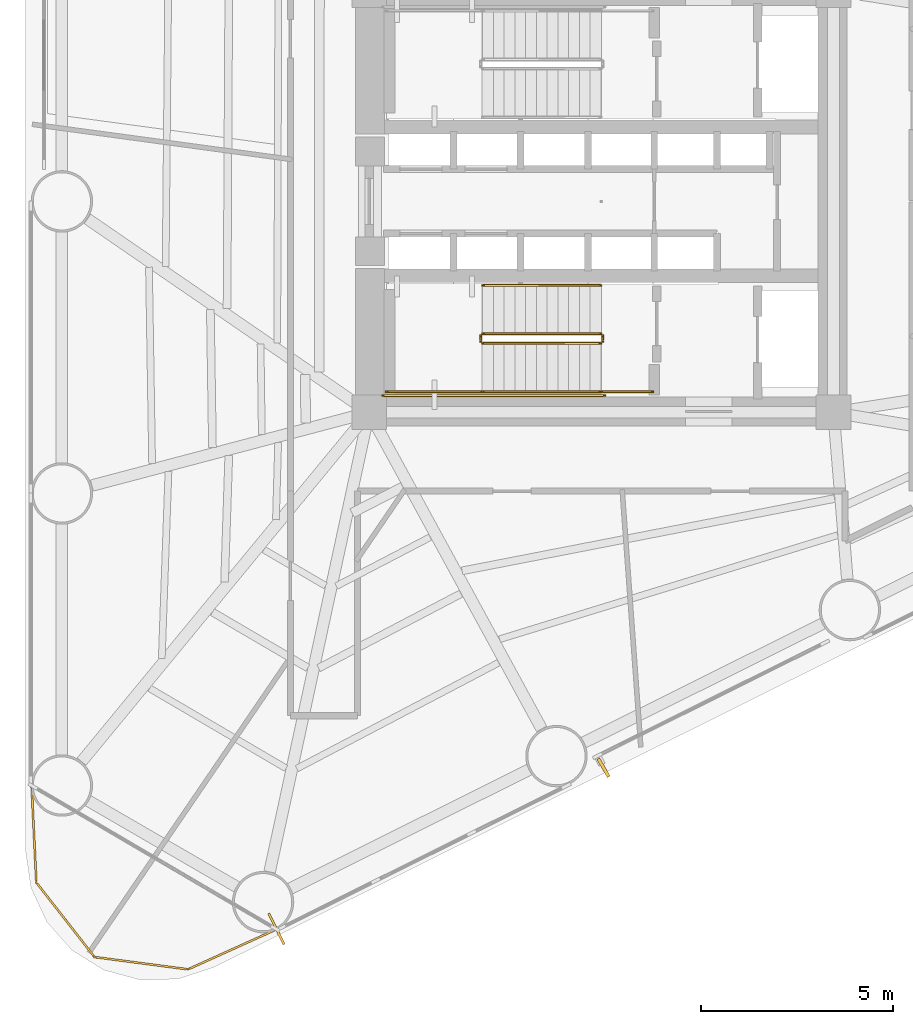
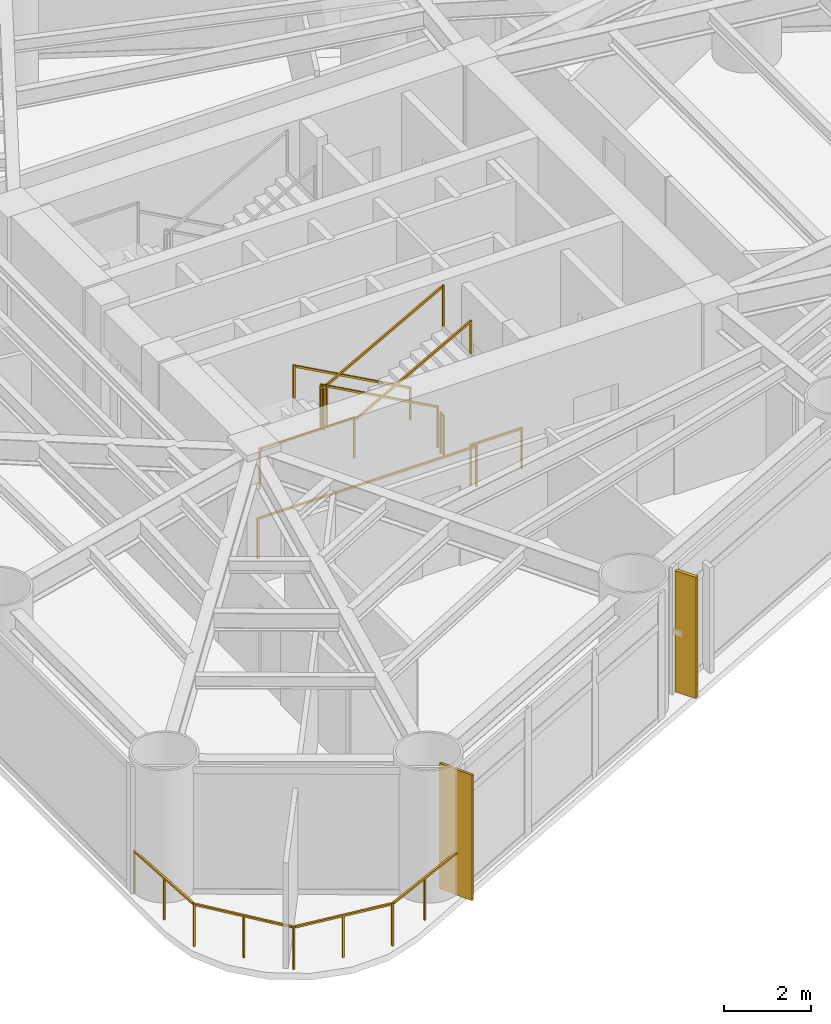
# One storey, part 8 of 10: 10 railings, 1 covering, 1 shading device.
"""IFC4 building model written with IfcOpenShell, lengths in metres."""

from ifc_helpers import new_model, si_unit, direction, frame, origin, origin_2d, place, context, subcontext, project, spatial, rectangle, extrude, source, transform, mapped, material, layer, layer_set, material_profile, profile_set, type_object, element, save


model = new_model("IFC4")

# Units and contexts
model_context = context("Model", 3, precision=1e-05, world=origin(), true_north=direction((0.0, 1.0)))
body_context = subcontext(model_context, "Body", "Model", "MODEL_VIEW")
ifc_project = project(units=[si_unit("LENGTHUNIT", "METRE"), si_unit("AREAUNIT", "SQUARE_METRE"), si_unit("VOLUMEUNIT", "CUBIC_METRE"), si_unit("PLANEANGLEUNIT", "RADIAN"), si_unit("MASSUNIT", "GRAM", prefix="KILO")], contexts=[model_context])

# Site, building, storey
site_placement = place(None, origin())
site = spatial("IfcSite", under=ifc_project, at=site_placement, CompositionType="ELEMENT")
building_placement = place(site_placement, origin())
building = spatial("IfcBuilding", under=site, at=building_placement, Name="Yunling Apex Tower", CompositionType="ELEMENT")
storey_placement = place(building_placement, frame((0.0, 0.0, 31.199951171875)))
storey = spatial("IfcBuildingStorey", under=building, at=storey_placement, Name="L09", CompositionType="ELEMENT", Elevation=31.199951171875)

# Railings
ifc_material_1 = material(Name="Bronze anodised aluminium", Category="aluminium")
railing_type_1 = type_object("IfcRailingType", Name="RL-BAL-1200", PredefinedType="BALUSTRADE", material=ifc_material_1)
railing_1_placement = place(storey_placement, frame((-8.45947265625, -18.965087890625, 0.0)))
element("IfcRailing", 1, at=railing_1_placement, inside=storey, type_object=railing_type_1, Name="RL-CRNSILL-L09-3", PredefinedType="BALUSTRADE", context=body_context, shape_type="SweptSolid", body=[
    extrude(rectangle(XDim=0.0439453125, YDim=0.0439453125, at=origin_2d()), origin(), (0.0, 0.0, 1.0), 1.199951171875),
    extrude(rectangle(XDim=0.0439453125, YDim=0.0439453125, at=origin_2d()), frame((-2.30712890625, -1.04296875, 0.0)), (0.0, 0.0, 1.0), 1.199951171875),
    extrude(rectangle(XDim=0.050048828125, YDim=0.050048828125, at=origin_2d()), frame((-0.034912109375, -0.015869140625, 1.1748046875), z_axis=(-0.911216522497, -0.411927723186, 0.0), x_axis=(0.411927723186, -0.911216522497, 0.0)), (0.0, 0.0, 1.0), 2.455322265625),
    extrude(rectangle(XDim=0.0439453125, YDim=0.0439453125, at=origin_2d()), frame((-1.153564453125, -0.521484375, 0.0)), (0.0, 0.0, 1.0), 1.14599609375),
    extrude(rectangle(XDim=0.0439453125, YDim=0.0439453125, at=origin_2d()), frame((-4.741943359375, -0.723388671875, 0.0)), (0.0, 0.0, 1.0), 1.199951171875),
    extrude(rectangle(XDim=0.050048828125, YDim=0.050048828125, at=origin_2d()), frame((-2.34521484375, -1.0380859375, 1.1748046875), z_axis=(-0.991495866646, 0.130138182035, 0.0), x_axis=(-0.130138182035, -0.991495866646, 0.0)), (0.0, 0.0, 1.0), 2.379150390625),
    extrude(rectangle(XDim=0.0439453125, YDim=0.0439453125, at=origin_2d()), frame((-3.5244140625, -0.88330078125, 0.0)), (0.0, 0.0, 1.0), 1.14599609375),
    extrude(rectangle(XDim=0.0439453125, YDim=0.0439453125, at=origin_2d()), frame((-6.258544921875, 1.21826171875, 0.0)), (0.0, 0.0, 1.0), 1.199951171875),
    extrude(rectangle(XDim=0.050048828125, YDim=0.050048828125, at=origin_2d()), frame((-4.765625, -0.693115234375, 1.1748046875), z_axis=(-0.615565197226, 0.788085964832, 0.0), x_axis=(-0.788085964832, -0.615565197226, 0.0)), (0.0, 0.0, 1.0), 2.38720703125),
    extrude(rectangle(XDim=0.0439453125, YDim=0.0439453125, at=origin_2d()), frame((-5.500244140625, 0.24755859375, 0.0)), (0.0, 0.0, 1.0), 1.14599609375),
    extrude(rectangle(XDim=0.0439453125, YDim=0.0439453125, at=origin_2d()), frame((-6.382568359375, 3.74609375, 0.0)), (0.0, 0.0, 1.0), 1.199951171875),
    extrude(rectangle(XDim=0.050048828125, YDim=0.050048828125, at=origin_2d()), frame((-6.260498046875, 1.256591796875, 1.1748046875), z_axis=(-0.049004218115, 0.998798571588, 0.0), x_axis=(-0.998798571588, -0.049004218115, 0.0)), (0.0, 0.0, 1.0), 2.4541015625),
    extrude(rectangle(XDim=0.0439453125, YDim=0.0439453125, at=origin_2d()), frame((-6.320556640625, 2.482177734375, 0.0)), (0.0, 0.0, 1.0), 1.14599609375),
])
ifc_material_2 = material(Name="Steel Q355B", Category="steel")
railing_type_2 = type_object("IfcRailingType", Name="RL-GRD-1150", PredefinedType="GUARDRAIL", material=ifc_material_2)
railing_2_placement = place(storey_placement, frame((-0.010009765625, -3.449951171875, 0.154296875)))
element("IfcRailing", 2, at=railing_2_placement, inside=storey, type_object=railing_type_2, Name="L09 ST-2 stair guard 1", PredefinedType="GUARDRAIL", context=body_context, shape_type="SweptSolid", body=[
    extrude(rectangle(XDim=0.0439453125, YDim=0.0439453125, at=origin_2d()), origin(), (0.0, 0.0, 1.0), 1.14990234375),
    extrude(rectangle(XDim=0.0439453125, YDim=0.0439453125, at=origin_2d()), frame((-3.080078125, 0.0, 1.69580078125)), (0.0, 0.0, 1.0), 1.14990234375),
    extrude(rectangle(XDim=0.050048828125, YDim=0.050048828125, at=origin_2d()), frame((-0.03369140625, 0.0, 1.143310546875), z_axis=(-0.876004717809, 0.0, 0.482302534076), x_axis=(0.0, -1.0, 0.0)), (0.0, 0.0, 1.0), 3.439453125),
])
railing_3_placement = place(storey_placement, frame((-3.139892578125, -3.5, 1.85009765625)))
element("IfcRailing", 3, at=railing_3_placement, inside=storey, type_object=railing_type_2, Name="L09 ST-2 stair guard 2", PredefinedType="GUARDRAIL", context=body_context, shape_type="SweptSolid", body=[
    extrude(rectangle(XDim=0.0439453125, YDim=0.0439453125, at=origin_2d()), origin(), (0.0, 0.0, 1.0), 1.14990234375),
    extrude(rectangle(XDim=0.0439453125, YDim=0.0439453125, at=origin_2d()), frame((0.0, -0.14990234375, 0.0)), (0.0, 0.0, 1.0), 1.14990234375),
    extrude(rectangle(XDim=0.050048828125, YDim=0.050048828125, at=origin_2d()), frame((0.0, -0.038330078125, 1.125), z_axis=(0.0, -1.0, 0.0), x_axis=(1.0, 0.0, 0.0)), (0.0, 0.0, 1.0), 0.0732421875),
])
railing_4_placement = place(storey_placement, frame((-3.090087890625, -4.9599609375, 1.85009765625)))
element("IfcRailing", 4, at=railing_4_placement, inside=storey, type_object=railing_type_2, Name="L09 ST-2 stair guard 3", PredefinedType="GUARDRAIL", context=body_context, shape_type="SweptSolid", body=[
    extrude(rectangle(XDim=0.0439453125, YDim=0.0439453125, at=origin_2d()), origin(), (0.0, 0.0, 1.0), 1.14990234375),
    extrude(rectangle(XDim=0.0439453125, YDim=0.0439453125, at=origin_2d()), frame((-2.510009765625, 0.0, 0.0)), (0.0, 0.0, 1.0), 1.14990234375),
    extrude(rectangle(XDim=0.050048828125, YDim=0.050048828125, at=origin_2d()), frame((-0.038330078125, 0.0, 1.125), z_axis=(-1.0, 0.0, 0.0), x_axis=(0.0, -1.0, 0.0)), (0.0, 0.0, 1.0), 2.433349609375),
])
railing_5_placement = place(storey_placement, frame((-3.090087890625, -3.699951171875, 2.004150390625)))
element("IfcRailing", 5, at=railing_5_placement, inside=storey, type_object=railing_type_2, Name="L09 ST-2 stair guard 4", PredefinedType="GUARDRAIL", context=body_context, shape_type="SweptSolid", body=[
    extrude(rectangle(XDim=0.0439453125, YDim=0.0439453125, at=origin_2d()), origin(), (0.0, 0.0, 1.0), 1.14990234375),
    extrude(rectangle(XDim=0.0439453125, YDim=0.0439453125, at=origin_2d()), frame((3.080078125, 0.0, 1.69580078125)), (0.0, 0.0, 1.0), 1.14990234375),
    extrude(rectangle(XDim=0.050048828125, YDim=0.050048828125, at=origin_2d()), frame((0.03369140625, 0.0, 1.143310546875), z_axis=(0.876004717809, 0.0, 0.482302534076), x_axis=(0.0, 1.0, 0.0)), (0.0, 0.0, 1.0), 3.439453125),
])
railing_6_placement = place(storey_placement, frame((0.0400390625, -3.5, 0.0)))
element("IfcRailing", 6, at=railing_6_placement, inside=storey, type_object=railing_type_2, Name="L09 ST-2 stair guard 5", PredefinedType="GUARDRAIL", context=body_context, shape_type="SweptSolid", body=[
    extrude(rectangle(XDim=0.0439453125, YDim=0.0439453125, at=origin_2d()), origin(), (0.0, 0.0, 1.0), 1.14990234375),
    extrude(rectangle(XDim=0.0439453125, YDim=0.0439453125, at=origin_2d()), frame((0.0, -0.14990234375, 0.0)), (0.0, 0.0, 1.0), 1.14990234375),
    extrude(rectangle(XDim=0.050048828125, YDim=0.050048828125, at=origin_2d()), frame((0.0, -0.038330078125, 1.125), z_axis=(0.0, -1.0, 0.0), x_axis=(1.0, 0.0, 0.0)), (0.0, 0.0, 1.0), 0.0732421875),
])
railing_7_placement = place(storey_placement, frame((1.35009765625, -4.9599609375, 0.0)))
element("IfcRailing", 7, at=railing_7_placement, inside=storey, type_object=railing_type_2, Name="L09 ST-2 stair guard 6", PredefinedType="GUARDRAIL", context=body_context, shape_type="SweptSolid", body=[
    extrude(rectangle(XDim=0.0439453125, YDim=0.0439453125, at=origin_2d()), origin(), (0.0, 0.0, 1.0), 1.14990234375),
    extrude(rectangle(XDim=0.0439453125, YDim=0.0439453125, at=origin_2d()), frame((-1.360107421875, 0.0, 0.0)), (0.0, 0.0, 1.0), 1.14990234375),
    extrude(rectangle(XDim=0.050048828125, YDim=0.050048828125, at=origin_2d()), frame((-0.038330078125, 0.0, 1.125), z_axis=(-1.0, 0.0, 0.0), x_axis=(0.0, -1.0, 0.0)), (0.0, 0.0, 1.0), 1.283447265625),
])
railing_8_placement = place(storey_placement, frame((0.090087890625, -5.06005859375, 0.0)))
element("IfcRailing", 8, at=railing_8_placement, inside=storey, type_object=railing_type_2, Name="L09 ST-2 stair guard 7", PredefinedType="GUARDRAIL", context=body_context, shape_type="SweptSolid", body=[
    extrude(rectangle(XDim=0.0439453125, YDim=0.0439453125, at=origin_2d()), origin(), (0.0, 0.0, 1.0), 1.14990234375),
    extrude(rectangle(XDim=0.0439453125, YDim=0.0439453125, at=origin_2d()), frame((-5.7900390625, 0.0, 0.0)), (0.0, 0.0, 1.0), 1.14990234375),
    extrude(rectangle(XDim=0.050048828125, YDim=0.050048828125, at=origin_2d()), frame((-0.038330078125, 0.0, 1.125), z_axis=(-1.0, 0.0, 0.0), x_axis=(0.0, -1.0, 0.0)), (0.0, 0.0, 1.0), 5.71337890625),
])
ifc_material_3 = material(Name="Silver anodised aluminium", Category="aluminium")
railing_type_3 = type_object("IfcRailingType", Name="RL-HND-900", PredefinedType="HANDRAIL", material=ifc_material_3)
railing_9_placement = place(storey_placement, frame((-0.010009765625, -2.18994140625, 0.154296875)))
element("IfcRailing", 9, at=railing_9_placement, inside=storey, type_object=railing_type_3, Name="L09 ST-2 stair handrail 1", PredefinedType="HANDRAIL", context=body_context, shape_type="SweptSolid", body=[
    extrude(rectangle(XDim=0.0439453125, YDim=0.0439453125, at=origin_2d()), origin(), (0.0, 0.0, 1.0), 0.919921875),
    extrude(rectangle(XDim=0.0439453125, YDim=0.0439453125, at=origin_2d()), frame((-3.080078125, 0.0, 1.69580078125)), (0.0, 0.0, 1.0), 0.919921875),
    extrude(rectangle(XDim=0.050048828125, YDim=0.050048828125, at=origin_2d()), frame((-0.03369140625, 0.0, 0.913330078125), z_axis=(-0.876004717809, 0.0, 0.482302534076), x_axis=(0.0, -1.0, 0.0)), (0.0, 0.0, 1.0), 3.439453125),
])
railing_10_placement = place(storey_placement, frame((-3.090087890625, -4.9599609375, 2.004150390625)))
element("IfcRailing", 10, at=railing_10_placement, inside=storey, type_object=railing_type_3, Name="L09 ST-2 stair handrail 2", PredefinedType="HANDRAIL", context=body_context, shape_type="SweptSolid", body=[
    extrude(rectangle(XDim=0.0439453125, YDim=0.0439453125, at=origin_2d()), origin(), (0.0, 0.0, 1.0), 0.919921875),
    extrude(rectangle(XDim=0.0439453125, YDim=0.0439453125, at=origin_2d()), frame((3.080078125, 0.0, 1.69580078125)), (0.0, 0.0, 1.0), 0.919921875),
    extrude(rectangle(XDim=0.050048828125, YDim=0.050048828125, at=origin_2d()), frame((0.03369140625, 0.0, 0.913330078125), z_axis=(0.876004717809, 0.0, 0.482302534076), x_axis=(0.0, 1.0, 0.0)), (0.0, 0.0, 1.0), 3.439453125),
])

# Covering
ifc_layer = layer(ifc_material_1, 0.0400390625)
ifc_layer_set = layer_set([ifc_layer], Name="Bronze anodised aluminium")
covering_type = type_object("IfcCoveringType", Name="CV-CLD-1", PredefinedType="CLADDING", material=ifc_layer_set)
shared_shape_1 = source(origin(), body_context, "Body", "SweptSolid", [
    extrude(rectangle(XDim=0.06005859375, YDim=0.89990234375, at=origin_2d()), origin(), (0.0, 0.0, 1.0), 3.514892578125),
])
covering_placement = place(storey_placement, frame((-8.464111328125, -18.9560546875, 0.0), z_axis=(0.0, 0.0, 1.0), x_axis=(0.895245648325, 0.445572922377, 0.0)))
element("IfcCovering", 11, at=covering_placement, inside=storey, type_object=covering_type, Name="CV-CLD-L09", PredefinedType="CLADDING", context=body_context, shape_type="MappedRepresentation", body=[
    mapped(shared_shape_1, transform((0.0, 0.0, 0.0), scale=1.0)),
])

# Shading device
ifc_material_profile = material_profile(ifc_material_1, rectangle(XDim=0.0849609375, YDim=0.550048828125, at=origin_2d()))
ifc_profile_set = profile_set([ifc_material_profile], Name="Bronze anodised aluminium")
shading_device_type = type_object("IfcShadingDeviceType", Name="FN-BRZ-3", PredefinedType="USERDEFINED", material=ifc_profile_set)
shared_shape_2 = source(origin(), body_context, "Body", "SweptSolid", [
    extrude(rectangle(XDim=0.0849609375, YDim=0.550048828125, at=origin_2d()), origin(), (0.0, 0.0, 1.0), 3.39501953125),
])
shading_device_placement = place(storey_placement, frame((0.0576171875, -14.75390625, 0.06005859375), z_axis=(0.0, 0.0, 1.0), x_axis=(0.864186995248, 0.503170783377, 0.0)))
element("IfcShadingDevice", 12, at=shading_device_placement, inside=storey, type_object=shading_device_type, Name="CW-L09-F1-B2-FIN-01", ObjectType="FIN", PredefinedType="USERDEFINED", context=body_context, shape_type="MappedRepresentation", body=[
    mapped(shared_shape_2, transform((0.0, 0.0, 0.0), scale=1.0)),
])

save(model, "model.ifc")
